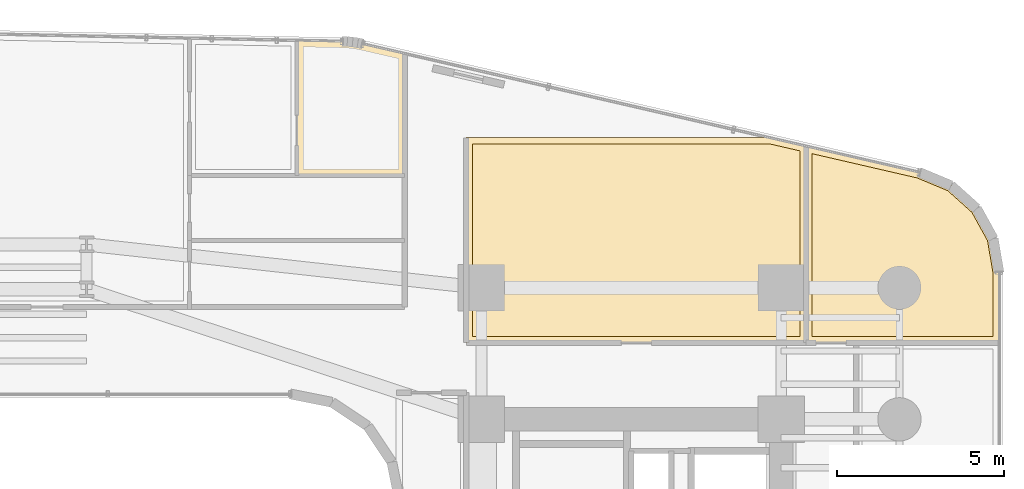
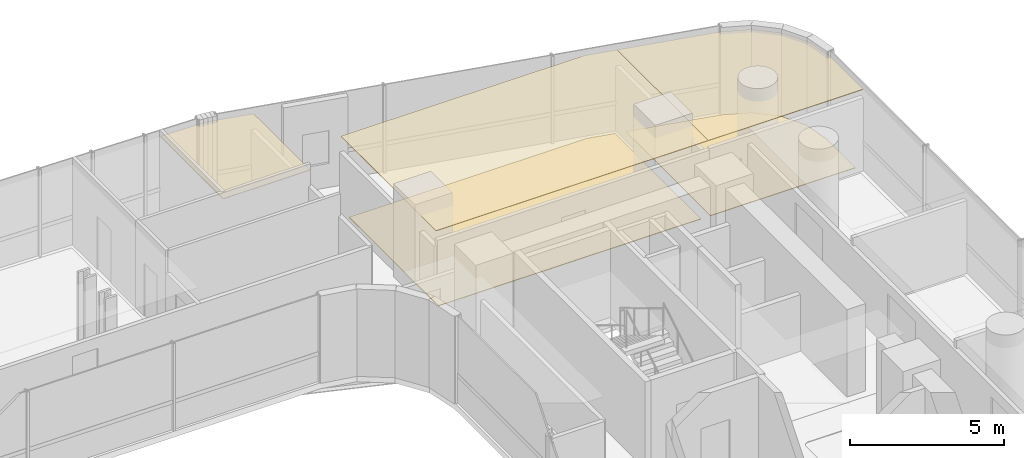
# One storey, part 40 of 40: 5 coverings.
"""IFC4 building model written with IfcOpenShell, lengths in metres."""

from ifc_helpers import new_model, si_unit, direction, frame, origin, place, context, subcontext, project, spatial, polyline, outline, extrude, material, layer, layer_set, type_object, element, save


model = new_model("IFC4")

# Units and contexts
model_context = context("Model", 3, precision=1e-05, world=origin(), true_north=direction((0.0, 1.0)))
body_context = subcontext(model_context, "Body", "Model", "MODEL_VIEW")
ifc_project = project(units=[si_unit("LENGTHUNIT", "METRE"), si_unit("AREAUNIT", "SQUARE_METRE"), si_unit("VOLUMEUNIT", "CUBIC_METRE"), si_unit("PLANEANGLEUNIT", "RADIAN"), si_unit("MASSUNIT", "GRAM", prefix="KILO")], contexts=[model_context])

# Site, building, storey
site_placement = place(None, origin())
site = spatial("IfcSite", under=ifc_project, at=site_placement, CompositionType="ELEMENT")
building_placement = place(site_placement, origin())
building = spatial("IfcBuilding", under=site, at=building_placement, Name="Valdorenza Pilgrim Sanctuary Tower", CompositionType="ELEMENT")
storey_placement = place(building_placement, frame((0.0, 0.0, 44.5)))
storey = spatial("IfcBuildingStorey", under=building, at=storey_placement, Name="L10", CompositionType="ELEMENT", Elevation=44.5)

# Coverings
ifc_material_1 = material(Name="Micro-perforated acoustic mineral ceiling tile", Category="gypsum")
ifc_layer_1 = layer(ifc_material_1, 0.02490234375, Name="Micro-perforated acoustic mineral ceiling tile")
ifc_layer_set_1 = layer_set([ifc_layer_1], Name="Micro-perforated acoustic mineral ceiling tile")
covering_type_1 = type_object("IfcCoveringType", Name="COV-CLG-ACU", PredefinedType="CEILING", material=ifc_layer_set_1)
covering_1_placement = place(storey_placement, frame((0.0, 0.0, 3.159912109375)))
element("IfcCovering", 1, at=covering_1_placement, inside=storey, type_object=covering_type_1, Name="L10 North Family Flat L10-N3 Bedroom 2 Acoustic Ceiling", PredefinedType="CEILING", context=body_context, shape_type="SweptSolid", body=[
    extrude(outline(polyline([(10.322509765625, 16.85498046875), (10.32080078125, 16.85498046875), (10.319580078125, 16.855224609375), (10.318115234375, 16.855712890625), (10.316650390625, 16.856201171875), (10.315185546875, 16.856689453125), (10.314208984375, 16.857421875), (10.31298828125, 16.8583984375), (10.311767578125, 16.859375), (10.310791015625, 16.860595703125), (10.309814453125, 16.86181640625), (10.30908203125, 16.86279296875), (10.30859375, 16.8642578125), (10.30810546875, 16.865478515625), (10.3076171875, 16.8671875), (10.3076171875, 16.868408203125), (10.307373046875, 16.8701171875), (10.307373046875, 20.9248046875), (10.3076171875, 20.926513671875), (10.3076171875, 20.927978515625), (10.30810546875, 20.92919921875), (10.30859375, 20.930908203125), (10.30908203125, 20.93212890625), (10.31005859375, 20.933349609375), (10.310791015625, 20.9345703125), (10.31201171875, 20.935791015625), (10.31298828125, 20.9365234375), (10.314208984375, 20.9375), (10.3154296875, 20.938232421875), (10.31689453125, 20.93896484375), (10.318359375, 20.939453125), (10.319580078125, 20.939697265625), (10.3212890625, 20.93994140625), (10.32275390625, 20.93994140625), (11.666015625, 20.912109375), (11.66650390625, 20.911865234375), (11.82666015625, 20.904296875), (11.827392578125, 20.904296875), (11.98583984375, 20.888916015625), (11.986572265625, 20.888671875), (12.143798828125, 20.864990234375), (12.14453125, 20.864990234375), (12.302001953125, 20.832763671875), (12.30224609375, 20.832763671875), (13.553466796875, 20.5439453125), (13.5546875, 20.543701171875), (13.55615234375, 20.543212890625), (13.557373046875, 20.54248046875), (13.55859375, 20.541748046875), (13.559814453125, 20.540771484375), (13.560791015625, 20.539794921875), (13.561767578125, 20.538818359375), (13.5625, 20.53759765625), (13.563232421875, 20.536376953125), (13.56396484375, 20.534912109375), (13.564453125, 20.53369140625), (13.564697265625, 20.5322265625), (13.56494140625, 20.53076171875), (13.56494140625, 20.529296875), (13.56494140625, 16.8701171875), (13.56494140625, 16.868408203125), (13.564697265625, 16.8671875), (13.564453125, 16.865478515625), (13.56396484375, 16.8642578125), (13.563232421875, 16.86279296875), (13.5625, 16.86181640625), (13.5615234375, 16.860595703125), (13.560546875, 16.859375), (13.5595703125, 16.8583984375), (13.558349609375, 16.857421875), (13.55712890625, 16.856689453125), (13.5556640625, 16.856201171875), (13.554443359375, 16.855712890625), (13.552978515625, 16.855224609375), (13.551513671875, 16.85498046875), (13.550048828125, 16.85498046875), (10.322509765625, 16.85498046875)])), origin(), (0.0, 0.0, 1.0), 0.025146484375),
])
covering_2_placement = place(storey_placement, frame((0.0, 0.0, 3.159912109375)))
element("IfcCovering", 2, at=covering_2_placement, inside=storey, type_object=covering_type_1, Name="L10 Curator Research Office L10-BN1 Acoustic Ceiling", PredefinedType="CEILING", context=body_context, shape_type="SweptSolid", body=[
    extrude(outline(polyline([(15.39990234375, 11.8349609375), (15.3984375, 11.835205078125), (15.397216796875, 11.835205078125), (15.3955078125, 11.835693359375), (15.394287109375, 11.836181640625), (15.392822265625, 11.8369140625), (15.3916015625, 11.83740234375), (15.390380859375, 11.83837890625), (15.389404296875, 11.83935546875), (15.388427734375, 11.840576171875), (15.387451171875, 11.841796875), (15.38671875, 11.843017578125), (15.385986328125, 11.84423828125), (15.385498046875, 11.845703125), (15.38525390625, 11.84716796875), (15.385009765625, 11.848388671875), (15.385009765625, 11.85009765625), (15.385009765625, 18.0), (15.385009765625, 18.00146484375), (15.38525390625, 18.0029296875), (15.385498046875, 18.00439453125), (15.385986328125, 18.005615234375), (15.38671875, 18.007080078125), (15.387451171875, 18.00830078125), (15.388427734375, 18.009521484375), (15.389404296875, 18.010498046875), (15.390380859375, 18.01171875), (15.3916015625, 18.012451171875), (15.392822265625, 18.01318359375), (15.394287109375, 18.013916015625), (15.3955078125, 18.014404296875), (15.397216796875, 18.0146484375), (15.3984375, 18.014892578125), (15.39990234375, 18.014892578125), (24.5107421875, 18.014892578125), (24.512451171875, 18.014892578125), (24.51416015625, 18.0146484375), (25.603515625, 17.76318359375), (25.604736328125, 17.762939453125), (25.606201171875, 17.76220703125), (25.607421875, 17.76171875), (25.608642578125, 17.760986328125), (25.609619140625, 17.760009765625), (25.61083984375, 17.759033203125), (25.61181640625, 17.758056640625), (25.612548828125, 17.7568359375), (25.61328125, 17.755615234375), (25.614013671875, 17.75439453125), (25.614501953125, 17.7529296875), (25.61474609375, 17.75146484375), (25.614990234375, 17.75), (25.614990234375, 17.74853515625), (25.614990234375, 11.85009765625), (25.614990234375, 11.848388671875), (25.61474609375, 11.84716796875), (25.614501953125, 11.845703125), (25.614013671875, 11.84423828125), (25.61328125, 11.843017578125), (25.612548828125, 11.841796875), (25.611572265625, 11.840576171875), (25.610595703125, 11.83935546875), (25.609619140625, 11.83837890625), (25.6083984375, 11.83740234375), (25.607177734375, 11.8369140625), (25.605712890625, 11.836181640625), (25.6044921875, 11.835693359375), (25.602783203125, 11.835205078125), (25.6015625, 11.835205078125), (25.60009765625, 11.8349609375), (15.39990234375, 11.8349609375)])), origin(), (0.0, 0.0, 1.0), 0.025146484375),
])
covering_3_placement = place(storey_placement, frame((0.0, 0.0, 3.159912109375)))
element("IfcCovering", 3, at=covering_3_placement, inside=storey, type_object=covering_type_1, Name="L10 East Wing Reference Library L10-BNE Acoustic Ceiling", PredefinedType="CEILING", context=body_context, shape_type="SweptSolid", body=[
    extrude(outline(polyline([(28.9892578125, 16.98193359375), (28.990478515625, 16.981689453125), (28.99169921875, 16.981201171875), (29.95361328125, 16.580322265625), (29.955078125, 16.57958984375), (29.95654296875, 16.57861328125), (29.9580078125, 16.57763671875), (30.72705078125, 15.88818359375), (30.728271484375, 15.886962890625), (30.729248046875, 15.8857421875), (30.72998046875, 15.88427734375), (31.22900390625, 14.97998046875), (31.2294921875, 14.978271484375), (31.230224609375, 14.976806640625), (31.230712890625, 14.97509765625), (31.40478515625, 13.947509765625), (31.40478515625, 13.9462890625), (31.405029296875, 13.945068359375), (31.405029296875, 11.85009765625), (31.40478515625, 11.848388671875), (31.40478515625, 11.84716796875), (31.404296875, 11.845703125), (31.40380859375, 11.84423828125), (31.4033203125, 11.843017578125), (31.402587890625, 11.841796875), (31.401611328125, 11.840576171875), (31.400634765625, 11.83935546875), (31.3994140625, 11.83837890625), (31.398193359375, 11.83740234375), (31.397216796875, 11.8369140625), (31.395751953125, 11.836181640625), (31.394287109375, 11.835693359375), (31.392822265625, 11.835205078125), (31.3916015625, 11.835205078125), (31.389892578125, 11.8349609375), (25.60205078125, 11.8349609375), (25.6005859375, 11.835205078125), (25.59912109375, 11.835205078125), (25.59765625, 11.835693359375), (25.59619140625, 11.836181640625), (25.594970703125, 11.8369140625), (25.59375, 11.83740234375), (25.592529296875, 11.83837890625), (25.59130859375, 11.83935546875), (25.59033203125, 11.840576171875), (25.589599609375, 11.841796875), (25.5888671875, 11.843017578125), (25.588134765625, 11.84423828125), (25.587646484375, 11.845703125), (25.58740234375, 11.84716796875), (25.587158203125, 11.848388671875), (25.5869140625, 11.85009765625), (25.5869140625, 17.748291015625), (25.587158203125, 17.749755859375), (25.58740234375, 17.751220703125), (25.587646484375, 17.752685546875), (25.588134765625, 17.75390625), (25.5888671875, 17.75537109375), (25.589599609375, 17.756591796875), (25.590576171875, 17.7578125), (25.591552734375, 17.7587890625), (25.5927734375, 17.760009765625), (25.593994140625, 17.7607421875), (25.59521484375, 17.761474609375), (25.596435546875, 17.76220703125), (25.597900390625, 17.7626953125), (25.599365234375, 17.762939453125), (25.600830078125, 17.76318359375), (25.602294921875, 17.76318359375), (25.60400390625, 17.76318359375), (25.60546875, 17.7626953125), (28.9892578125, 16.98193359375)])), origin(), (0.0, 0.0, 1.0), 0.025146484375),
])
ifc_material_2 = material(Name="Honed travertine stone flooring", Category="masonry")
ifc_layer_2 = layer(ifc_material_2, 0.030029296875, Name="Honed travertine stone flooring")
ifc_layer_set_2 = layer_set([ifc_layer_2], Name="Honed travertine stone flooring")
covering_type_2 = type_object("IfcCoveringType", Name="COV-FLR-TRV", PredefinedType="FLOORING", material=ifc_layer_set_2)
covering_4_placement = place(storey_placement, origin())
element("IfcCovering", 4, at=covering_4_placement, inside=storey, type_object=covering_type_2, Name="L10 Curator Research Office L10-BN1 Flooring", PredefinedType="FLOORING", context=body_context, shape_type="SweptSolid", body=[
    extrude(outline(polyline([(15.580078125, 12.030029296875), (15.580078125, 17.820068359375), (24.490234375, 17.820068359375), (25.419921875, 17.60546875), (25.419921875, 12.030029296875), (15.580078125, 12.030029296875)])), origin(), (0.0, 0.0, 1.0), 0.02490234375),
])
covering_5_placement = place(storey_placement, origin())
element("IfcCovering", 5, at=covering_5_placement, inside=storey, type_object=covering_type_2, Name="L10 East Wing Reference Library L10-BNE Flooring", PredefinedType="FLOORING", context=body_context, shape_type="SweptSolid", body=[
    extrude(outline(polyline([(28.9306640625, 16.79541015625), (29.8505859375, 16.412109375), (30.57421875, 15.763427734375), (31.04345703125, 14.912353515625), (31.2099609375, 13.929931640625), (31.2099609375, 12.030029296875), (25.781982421875, 12.030029296875), (25.781982421875, 17.52197265625), (28.9306640625, 16.79541015625)])), origin(), (0.0, 0.0, 1.0), 0.02490234375),
])

save(model, "model.ifc")
